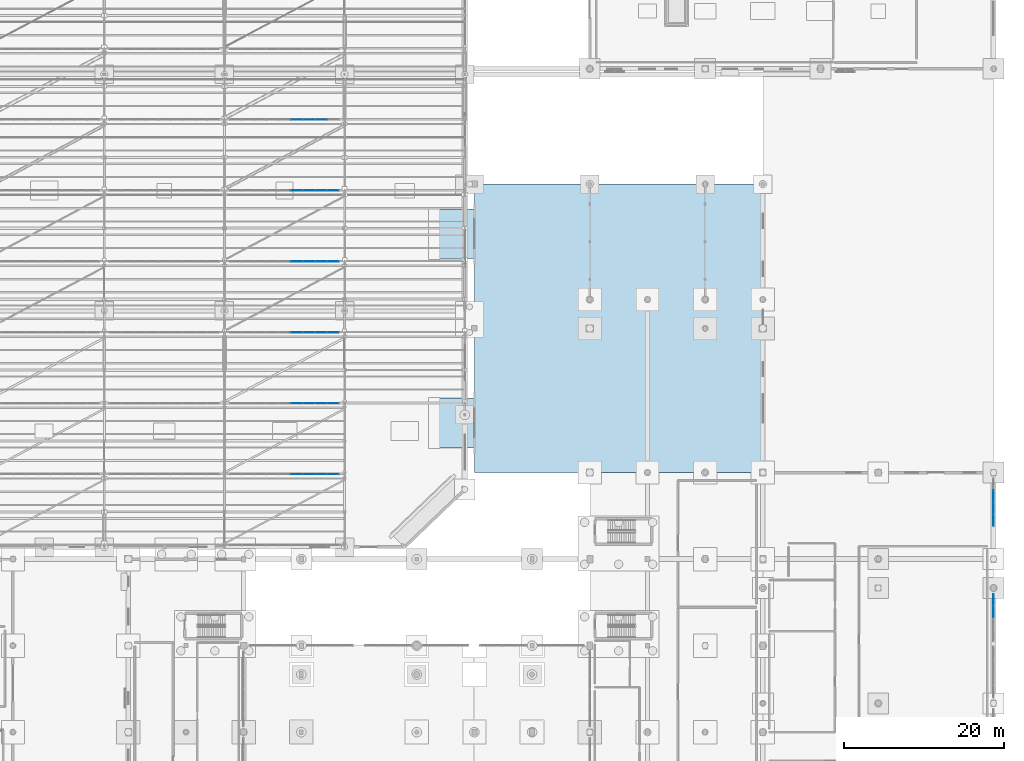
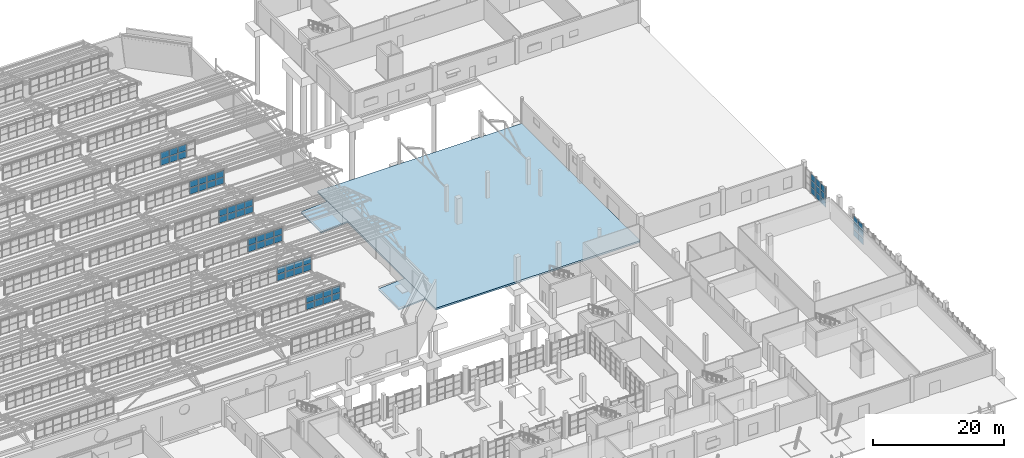
# One storey, part 185 of 285: 61 plates, 3 slabs, 8 elements without a shape of their own.
"""IFC4 building model written with IfcOpenShell, lengths in metres."""

import ifcopenshell
import ifcopenshell.guid

model = None  # the IFC model being written
_history = None  # IfcOwnerHistory: only IFC2X3 demands one
_inside = {}  # id of a spatial element -> (the spatial element, [elements in it])
_under = {}  # id of a project, library or spatial element -> (it, [spatial elements below it])
_declared = {}  # id of a project -> (the project, [libraries it declares])
_typed = {}  # id of a type object -> (the type object, [elements of that type])
_made_of = {}  # id of a material, layer set ... -> (it, [elements and type objects made of it])


def new_model(schema):
    """Start an empty IFC model of exactly this schema.

    Asked for "IFC4X3", IfcOpenShell would pick the latest addendum, in which some entities
    have other attributes; the version numbers below select the first issue.
    IFC2X3 requires an IfcOwnerHistory on every rooted entity: one is made here for all.
    """
    global model, _history
    if schema == "IFC4X3":
        model = ifcopenshell.file(schema_version=(4, 3, 0, 0))
    else:
        model = ifcopenshell.file(schema=schema)
    _inside.clear()
    _under.clear()
    _declared.clear()
    _typed.clear()
    _made_of.clear()
    _history = None
    if model.schema == "IFC2X3":
        org = make("IfcOrganization", Name="unknown")
        user = make(
            "IfcPersonAndOrganization",
            ThePerson=make("IfcPerson", FamilyName="unknown"),
            TheOrganization=org,
        )
        app = make(
            "IfcApplication",
            ApplicationDeveloper=org,
            Version="unknown",
            ApplicationFullName="unknown",
            ApplicationIdentifier="unknown",
        )
        _history = make(
            "IfcOwnerHistory",
            OwningUser=user,
            OwningApplication=app,
            ChangeAction="ADDED",
            CreationDate=0,
        )
    return model


def make(cls, **values):
    """One entity of the class cls with the attributes given. An attribute that is None is left unset."""
    return model.create_entity(
        cls, **{name: value for name, value in values.items() if value is not None}
    )


def rooted(cls, **values):
    """An entity with a GlobalId (a new one), such as an element, a storey or a relation."""
    return make(cls, GlobalId=ifcopenshell.guid.new(), OwnerHistory=_history, **values)


def si_unit(unit_type, name, prefix=None):
    """IfcSIUnit, for example si_unit("LENGTHUNIT", "METRE", prefix="MILLI")."""
    return make("IfcSIUnit", UnitType=unit_type, Prefix=prefix, Name=name)


def assignment(units):
    """IfcUnitAssignment: the units of a project."""
    return None if units is None else make("IfcUnitAssignment", Units=units)


def point(xyz):
    """IfcCartesianPoint."""
    return None if xyz is None else make("IfcCartesianPoint", Coordinates=xyz)


def direction(xyz):
    """IfcDirection."""
    return None if xyz is None else make("IfcDirection", DirectionRatios=xyz)


def frame(location, z_axis=None, x_axis=None):
    """IfcAxis2Placement3D, a coordinate frame: its origin and axes. An axis left out is left unset."""
    return make(
        "IfcAxis2Placement3D",
        Location=point(location),
        Axis=direction(z_axis),
        RefDirection=direction(x_axis),
    )


def frame_2d(location, x_axis=None):
    """IfcAxis2Placement2D, a coordinate frame in the plane: its origin and x axis."""
    return make(
        "IfcAxis2Placement2D", Location=point(location), RefDirection=direction(x_axis)
    )


def origin():
    """The frame at (0, 0, 0) with its axes left unset."""
    return frame((0.0, 0.0, 0.0))


def origin_2d():
    """The frame at (0, 0) in the plane with its x axis left unset."""
    return frame_2d((0.0, 0.0))


def place(relative_to, where):
    """IfcLocalPlacement: puts the frame where relative to a parent placement (None: the world)."""
    return make(
        "IfcLocalPlacement", PlacementRelTo=relative_to, RelativePlacement=where
    )


def context(
    kind, dimensions, precision=None, world=None, true_north=None, identifier=None
):
    """IfcGeometricRepresentationContext, for example the 3D "Model" context."""
    return make(
        "IfcGeometricRepresentationContext",
        ContextIdentifier=identifier,
        ContextType=kind,
        CoordinateSpaceDimension=dimensions,
        Precision=precision,
        WorldCoordinateSystem=world,
        TrueNorth=true_north,
    )


def subcontext(parent, identifier, kind, view, scale=None):
    """IfcGeometricRepresentationSubContext, for example "Body" below "Model"."""
    return make(
        "IfcGeometricRepresentationSubContext",
        ContextIdentifier=identifier,
        ContextType=kind,
        ParentContext=parent,
        TargetScale=scale,
        TargetView=view,
    )


def project(units=None, contexts=None):
    """IfcProject with its units and contexts."""
    return rooted(
        "IfcProject",
        Name="project",
        RepresentationContexts=contexts,
        UnitsInContext=assignment(units),
    )


def spatial(cls, under=None, at=None, **own):
    """A site, building, storey or space (cls), placed at a placement, below another one or the project."""
    s = rooted(cls, ObjectPlacement=at, **own)
    if under is not None:
        _under.setdefault(under.id(), (under, []))[1].append(s)
    return s


def polyline(points):
    """IfcPolyline through the points."""
    return make("IfcPolyline", Points=[point(p) for p in points])


def profile(cls, at=None, kind="AREA", **sizes):
    """A parametric profile (cls). Its sizes go by their IFC names, for example OverallWidth=200.0."""
    return make(cls, ProfileType=kind, Position=at, **sizes)


def rectangle(**sizes):
    """IfcRectangleProfileDef."""
    return profile("IfcRectangleProfileDef", **sizes)


def outline(outer, holes=None, kind="AREA"):
    """IfcArbitraryClosedProfileDef: a profile drawn as a closed curve; with holes, ...WithVoids."""
    if holes is None:
        return make("IfcArbitraryClosedProfileDef", ProfileType=kind, OuterCurve=outer)
    return make(
        "IfcArbitraryProfileDefWithVoids",
        ProfileType=kind,
        OuterCurve=outer,
        InnerCurves=holes,
    )


def extrude(swept, where, along, depth):
    """IfcExtrudedAreaSolid: the profile swept, set in the frame where, extruded along a direction by depth."""
    return make(
        "IfcExtrudedAreaSolid",
        SweptArea=swept,
        Position=where,
        ExtrudedDirection=direction(along),
        Depth=depth,
    )


def shape(context_of_items, identifier, shape_type, items):
    """IfcShapeRepresentation: the items that make up one representation, for example the "Body"."""
    return make(
        "IfcShapeRepresentation",
        ContextOfItems=context_of_items,
        RepresentationIdentifier=identifier,
        RepresentationType=shape_type,
        Items=items,
    )


def material(Name=None, Category=None):
    """IfcMaterial."""
    return make("IfcMaterial", Name=Name, Category=Category)


def layer(
    of_material, thickness, ventilated=None, Name=None, Category=None, Priority=None
):
    """IfcMaterialLayer: one layer of a wall or slab, of a material (None: an air gap)."""
    return make(
        "IfcMaterialLayer",
        Material=of_material,
        LayerThickness=thickness,
        IsVentilated=ventilated,
        Name=Name,
        Category=Category,
        Priority=Priority,
    )


def layer_set(layers, Name=None):
    """IfcMaterialLayerSet."""
    return make("IfcMaterialLayerSet", MaterialLayers=layers, LayerSetName=Name)


def made_of(thing, what):
    """Note that an element or type object is made of a material, layer set ...; save() writes the relation."""
    if what is not None:
        _made_of.setdefault(what.id(), (what, []))[1].append(thing)
    return thing


def type_object(cls, material=None, **own):
    """A type object (cls), such as IfcWallType, which elements share."""
    return made_of(rooted(cls, **own), material)


def element(
    cls,
    number,
    at=None,
    inside=None,
    cuts=None,
    type_object=None,
    material=None,
    context=None,
    identifier="Body",
    shape_type=None,
    held_by="IfcProductDefinitionShape",
    body=None,
    shapes=None,
    **own,
):
    """One element of the class cls, such as IfcWall. Its Tag is "e" and its number.

    at: its placement. inside: the storey or other place that contains it. cuts: it is an
    opening in that element (IfcRelVoidsElement). A single representation is given by context,
    identifier, shape_type and body (its items); several are given by shapes. held_by: the class
    of the entity that holds the representations. save() writes the other relations.
    """
    e = rooted(cls, Tag="e%d" % number, ObjectPlacement=at, **own)
    if body is not None:
        shapes = [shape(context, identifier, shape_type, body)]
    if shapes is not None:
        e.Representation = make(held_by, Representations=shapes)
    if inside is not None:
        _inside.setdefault(inside.id(), (inside, []))[1].append(e)
    if cuts is not None:
        rooted(
            "IfcRelVoidsElement", RelatingBuildingElement=cuts, RelatedOpeningElement=e
        )
    if type_object is not None:
        _typed.setdefault(type_object.id(), (type_object, []))[1].append(e)
    return made_of(e, material)


def aggregate(whole, parts):
    """IfcRelAggregates: a whole, such as a stair, and the parts it consists of."""
    return rooted("IfcRelAggregates", RelatingObject=whole, RelatedObjects=parts)


def save(model, path):
    """Write the relations noted so far, then the file.

    IfcRelAggregates (storeys below a building ...), IfcRelContainedInSpatialStructure (elements
    in a storey), IfcRelDefinesByType, IfcRelAssociatesMaterial and IfcRelDeclares: one each for
    every whole, place, type object, material and project.
    """
    for whole, parts in _under.values():
        aggregate(whole, parts)
    for where, things in _inside.values():
        rooted(
            "IfcRelContainedInSpatialStructure",
            RelatedElements=things,
            RelatingStructure=where,
        )
    for kind, things in _typed.values():
        rooted("IfcRelDefinesByType", RelatedObjects=things, RelatingType=kind)
    for what, things in _made_of.values():
        rooted("IfcRelAssociatesMaterial", RelatedObjects=things, RelatingMaterial=what)
    for by, libraries in _declared.values():
        rooted("IfcRelDeclares", RelatingContext=by, RelatedDefinitions=libraries)
    model.write(path)


model = new_model("IFC4")

# Units and contexts
model_context = context("Model", 3, precision=1e-05, world=origin(), true_north=direction((0.0, 1.0)))
body_context = subcontext(model_context, "Body", "Model", "MODEL_VIEW")
ifc_project = project(units=[si_unit("LENGTHUNIT", "METRE"), si_unit("AREAUNIT", "SQUARE_METRE"), si_unit("VOLUMEUNIT", "CUBIC_METRE"), si_unit("PLANEANGLEUNIT", "RADIAN"), si_unit("MASSUNIT", "GRAM", prefix="KILO")], contexts=[model_context])

# Site, building, storey
site_placement = place(None, origin())
site = spatial("IfcSite", under=ifc_project, at=site_placement, CompositionType="ELEMENT")
building_placement = place(site_placement, origin())
building = spatial("IfcBuilding", under=site, at=building_placement, Name="Solanera Park Tramway Depot", CompositionType="ELEMENT")
storey_placement = place(building_placement, origin())
storey = spatial("IfcBuildingStorey", under=building, at=storey_placement, Name="L00", CompositionType="ELEMENT", Elevation=0.0)

# Curtain wall, plates
ifc_material_1 = material(Name="Bronze-anodised thermally broken aluminium curtain wall", Category="aluminium")
curtain_wall_type_1 = type_object("IfcCurtainWallType", Name="Sawtooth Clerestory Monitor Curtain Wall", PredefinedType="NOTDEFINED", material=ifc_material_1)
curtain_wall_1_placement = place(storey_placement, origin())
curtain_wall_1 = element("IfcCurtainWall", 1, at=curtain_wall_1_placement, inside=storey, type_object=curtain_wall_type_1, Name="L00 Sawtooth Clerestory Monitor Curtain Wall #011", PredefinedType="NOTDEFINED")
ifc_material_2 = material(Name="Low-E laminated solar-control double glazing", Category="glass")
ifc_layer_1 = layer(ifc_material_2, 0.028076171875)
ifc_layer_set_1 = layer_set([ifc_layer_1], Name="Low-E laminated solar-control double glazing")
plate_type = type_object("IfcPlateType", Name="Curtain Wall Double Glazing Panel 28", PredefinedType="CURTAIN_PANEL", material=ifc_layer_set_1)
plate_1_placement = place(storey_placement, frame((129.022216796875, 64.60009765625, 7.862060546875), z_axis=(0.0, 0.0, 1.0), x_axis=(1.0, 0.0, 0.0)))
plate_1 = element("IfcPlate", 2, at=plate_1_placement, type_object=plate_type, Name="CW-L00-011 Glazing Panel R1.C6", PredefinedType="CURTAIN_PANEL", context=body_context, shape_type="SweptSolid", body=[
    extrude(rectangle(XDim=1.47021484375, YDim=0.028076171875, at=origin_2d()), origin(), (0.0, 0.0, 1.0), 1.16650390625),
])
plate_2_placement = place(storey_placement, frame((130.54443359375, 64.60009765625, 7.862060546875), z_axis=(0.0, 0.0, 1.0), x_axis=(1.0, 0.0, 0.0)))
plate_2 = element("IfcPlate", 3, at=plate_2_placement, type_object=plate_type, Name="CW-L00-011 Glazing Panel R1.C7", PredefinedType="CURTAIN_PANEL", context=body_context, shape_type="SweptSolid", body=[
    extrude(rectangle(XDim=1.47021484375, YDim=0.028076171875, at=origin_2d()), origin(), (0.0, 0.0, 1.0), 1.16650390625),
])
plate_3_placement = place(storey_placement, frame((132.066650390625, 64.60009765625, 7.862060546875), z_axis=(0.0, 0.0, 1.0), x_axis=(1.0, 0.0, 0.0)))
plate_3 = element("IfcPlate", 4, at=plate_3_placement, type_object=plate_type, Name="CW-L00-011 Glazing Panel R1.C8", PredefinedType="CURTAIN_PANEL", context=body_context, shape_type="SweptSolid", body=[
    extrude(rectangle(XDim=1.47021484375, YDim=0.028076171875, at=origin_2d()), origin(), (0.0, 0.0, 1.0), 1.16650390625),
])
plate_4_placement = place(storey_placement, frame((133.572509765625, 64.60009765625, 7.862060546875), z_axis=(0.0, 0.0, 1.0), x_axis=(1.0, 0.0, 0.0)))
plate_4 = element("IfcPlate", 5, at=plate_4_placement, type_object=plate_type, Name="CW-L00-011 Glazing Panel R1.C9", PredefinedType="CURTAIN_PANEL", context=body_context, shape_type="SweptSolid", body=[
    extrude(rectangle(XDim=1.437744140625, YDim=0.028076171875, at=origin_2d()), origin(), (0.0, 0.0, 1.0), 1.16650390625),
])
plate_5_placement = place(storey_placement, frame((129.022216796875, 64.60009765625, 9.132568359375), z_axis=(0.0, 0.0, 1.0), x_axis=(1.0, 0.0, 0.0)))
plate_5 = element("IfcPlate", 6, at=plate_5_placement, type_object=plate_type, Name="CW-L00-011 Glazing Panel R2.C6", PredefinedType="CURTAIN_PANEL", context=body_context, shape_type="SweptSolid", body=[
    extrude(rectangle(XDim=1.47021484375, YDim=0.028076171875, at=origin_2d()), origin(), (0.0, 0.0, 1.0), 1.16650390625),
])
plate_6_placement = place(storey_placement, frame((130.54443359375, 64.60009765625, 9.132568359375), z_axis=(0.0, 0.0, 1.0), x_axis=(1.0, 0.0, 0.0)))
plate_6 = element("IfcPlate", 7, at=plate_6_placement, type_object=plate_type, Name="CW-L00-011 Glazing Panel R2.C7", PredefinedType="CURTAIN_PANEL", context=body_context, shape_type="SweptSolid", body=[
    extrude(rectangle(XDim=1.47021484375, YDim=0.028076171875, at=origin_2d()), origin(), (0.0, 0.0, 1.0), 1.16650390625),
])
plate_7_placement = place(storey_placement, frame((132.066650390625, 64.60009765625, 9.132568359375), z_axis=(0.0, 0.0, 1.0), x_axis=(1.0, 0.0, 0.0)))
plate_7 = element("IfcPlate", 8, at=plate_7_placement, type_object=plate_type, Name="CW-L00-011 Glazing Panel R2.C8", PredefinedType="CURTAIN_PANEL", context=body_context, shape_type="SweptSolid", body=[
    extrude(rectangle(XDim=1.47021484375, YDim=0.028076171875, at=origin_2d()), origin(), (0.0, 0.0, 1.0), 1.16650390625),
])
plate_8_placement = place(storey_placement, frame((133.572509765625, 64.60009765625, 9.132568359375), z_axis=(0.0, 0.0, 1.0), x_axis=(1.0, 0.0, 0.0)))
plate_8 = element("IfcPlate", 9, at=plate_8_placement, type_object=plate_type, Name="CW-L00-011 Glazing Panel R2.C9", PredefinedType="CURTAIN_PANEL", context=body_context, shape_type="SweptSolid", body=[
    extrude(rectangle(XDim=1.437744140625, YDim=0.028076171875, at=origin_2d()), origin(), (0.0, 0.0, 1.0), 1.16650390625),
])
aggregate(curtain_wall_1, [plate_1, plate_2, plate_3, plate_4, plate_5, plate_6, plate_7, plate_8])

curtain_wall_2_placement = place(storey_placement, origin())
curtain_wall_2 = element("IfcCurtainWall", 10, at=curtain_wall_2_placement, inside=storey, type_object=curtain_wall_type_1, Name="L00 Sawtooth Clerestory Monitor Curtain Wall #019", PredefinedType="NOTDEFINED")
plate_9_placement = place(storey_placement, frame((129.022216796875, 73.449951171875, 7.862060546875), z_axis=(0.0, 0.0, 1.0), x_axis=(1.0, 0.0, 0.0)))
plate_9 = element("IfcPlate", 11, at=plate_9_placement, type_object=plate_type, Name="CW-L00-019 Glazing Panel R1.C6", PredefinedType="CURTAIN_PANEL", context=body_context, shape_type="SweptSolid", body=[
    extrude(rectangle(XDim=1.47021484375, YDim=0.028076171875, at=origin_2d()), origin(), (0.0, 0.0, 1.0), 1.16650390625),
])
plate_10_placement = place(storey_placement, frame((130.54443359375, 73.449951171875, 7.862060546875), z_axis=(0.0, 0.0, 1.0), x_axis=(1.0, 0.0, 0.0)))
plate_10 = element("IfcPlate", 12, at=plate_10_placement, type_object=plate_type, Name="CW-L00-019 Glazing Panel R1.C7", PredefinedType="CURTAIN_PANEL", context=body_context, shape_type="SweptSolid", body=[
    extrude(rectangle(XDim=1.47021484375, YDim=0.028076171875, at=origin_2d()), origin(), (0.0, 0.0, 1.0), 1.16650390625),
])
plate_11_placement = place(storey_placement, frame((132.066650390625, 73.449951171875, 7.862060546875), z_axis=(0.0, 0.0, 1.0), x_axis=(1.0, 0.0, 0.0)))
plate_11 = element("IfcPlate", 13, at=plate_11_placement, type_object=plate_type, Name="CW-L00-019 Glazing Panel R1.C8", PredefinedType="CURTAIN_PANEL", context=body_context, shape_type="SweptSolid", body=[
    extrude(rectangle(XDim=1.47021484375, YDim=0.028076171875, at=origin_2d()), origin(), (0.0, 0.0, 1.0), 1.16650390625),
])
plate_12_placement = place(storey_placement, frame((133.572509765625, 73.449951171875, 7.862060546875), z_axis=(0.0, 0.0, 1.0), x_axis=(1.0, 0.0, 0.0)))
plate_12 = element("IfcPlate", 14, at=plate_12_placement, type_object=plate_type, Name="CW-L00-019 Glazing Panel R1.C9", PredefinedType="CURTAIN_PANEL", context=body_context, shape_type="SweptSolid", body=[
    extrude(rectangle(XDim=1.437744140625, YDim=0.028076171875, at=origin_2d()), origin(), (0.0, 0.0, 1.0), 1.16650390625),
])
plate_13_placement = place(storey_placement, frame((129.022216796875, 73.449951171875, 9.132568359375), z_axis=(0.0, 0.0, 1.0), x_axis=(1.0, 0.0, 0.0)))
plate_13 = element("IfcPlate", 15, at=plate_13_placement, type_object=plate_type, Name="CW-L00-019 Glazing Panel R2.C6", PredefinedType="CURTAIN_PANEL", context=body_context, shape_type="SweptSolid", body=[
    extrude(rectangle(XDim=1.47021484375, YDim=0.028076171875, at=origin_2d()), origin(), (0.0, 0.0, 1.0), 1.16650390625),
])
plate_14_placement = place(storey_placement, frame((130.54443359375, 73.449951171875, 9.132568359375), z_axis=(0.0, 0.0, 1.0), x_axis=(1.0, 0.0, 0.0)))
plate_14 = element("IfcPlate", 16, at=plate_14_placement, type_object=plate_type, Name="CW-L00-019 Glazing Panel R2.C7", PredefinedType="CURTAIN_PANEL", context=body_context, shape_type="SweptSolid", body=[
    extrude(rectangle(XDim=1.47021484375, YDim=0.028076171875, at=origin_2d()), origin(), (0.0, 0.0, 1.0), 1.16650390625),
])
plate_15_placement = place(storey_placement, frame((132.066650390625, 73.449951171875, 9.132568359375), z_axis=(0.0, 0.0, 1.0), x_axis=(1.0, 0.0, 0.0)))
plate_15 = element("IfcPlate", 17, at=plate_15_placement, type_object=plate_type, Name="CW-L00-019 Glazing Panel R2.C8", PredefinedType="CURTAIN_PANEL", context=body_context, shape_type="SweptSolid", body=[
    extrude(rectangle(XDim=1.47021484375, YDim=0.028076171875, at=origin_2d()), origin(), (0.0, 0.0, 1.0), 1.16650390625),
])
plate_16_placement = place(storey_placement, frame((133.572509765625, 73.449951171875, 9.132568359375), z_axis=(0.0, 0.0, 1.0), x_axis=(1.0, 0.0, 0.0)))
plate_16 = element("IfcPlate", 18, at=plate_16_placement, type_object=plate_type, Name="CW-L00-019 Glazing Panel R2.C9", PredefinedType="CURTAIN_PANEL", context=body_context, shape_type="SweptSolid", body=[
    extrude(rectangle(XDim=1.437744140625, YDim=0.028076171875, at=origin_2d()), origin(), (0.0, 0.0, 1.0), 1.16650390625),
])
aggregate(curtain_wall_2, [plate_9, plate_10, plate_11, plate_12, plate_13, plate_14, plate_15, plate_16])

curtain_wall_3_placement = place(storey_placement, origin())
curtain_wall_3 = element("IfcCurtainWall", 19, at=curtain_wall_3_placement, inside=storey, type_object=curtain_wall_type_1, Name="L00 Sawtooth Clerestory Monitor Curtain Wall #027", PredefinedType="NOTDEFINED")
plate_17_placement = place(storey_placement, frame((129.022216796875, 82.300048828125, 7.862060546875), z_axis=(0.0, 0.0, 1.0), x_axis=(1.0, 0.0, 0.0)))
plate_17 = element("IfcPlate", 20, at=plate_17_placement, type_object=plate_type, Name="CW-L00-027 Glazing Panel R1.C6", PredefinedType="CURTAIN_PANEL", context=body_context, shape_type="SweptSolid", body=[
    extrude(rectangle(XDim=1.47021484375, YDim=0.028076171875, at=origin_2d()), origin(), (0.0, 0.0, 1.0), 1.16650390625),
])
plate_18_placement = place(storey_placement, frame((130.54443359375, 82.300048828125, 7.862060546875), z_axis=(0.0, 0.0, 1.0), x_axis=(1.0, 0.0, 0.0)))
plate_18 = element("IfcPlate", 21, at=plate_18_placement, type_object=plate_type, Name="CW-L00-027 Glazing Panel R1.C7", PredefinedType="CURTAIN_PANEL", context=body_context, shape_type="SweptSolid", body=[
    extrude(rectangle(XDim=1.47021484375, YDim=0.028076171875, at=origin_2d()), origin(), (0.0, 0.0, 1.0), 1.16650390625),
])
plate_19_placement = place(storey_placement, frame((132.066650390625, 82.300048828125, 7.862060546875), z_axis=(0.0, 0.0, 1.0), x_axis=(1.0, 0.0, 0.0)))
plate_19 = element("IfcPlate", 22, at=plate_19_placement, type_object=plate_type, Name="CW-L00-027 Glazing Panel R1.C8", PredefinedType="CURTAIN_PANEL", context=body_context, shape_type="SweptSolid", body=[
    extrude(rectangle(XDim=1.47021484375, YDim=0.028076171875, at=origin_2d()), origin(), (0.0, 0.0, 1.0), 1.16650390625),
])
plate_20_placement = place(storey_placement, frame((133.572509765625, 82.300048828125, 7.862060546875), z_axis=(0.0, 0.0, 1.0), x_axis=(1.0, 0.0, 0.0)))
plate_20 = element("IfcPlate", 23, at=plate_20_placement, type_object=plate_type, Name="CW-L00-027 Glazing Panel R1.C9", PredefinedType="CURTAIN_PANEL", context=body_context, shape_type="SweptSolid", body=[
    extrude(rectangle(XDim=1.437744140625, YDim=0.028076171875, at=origin_2d()), origin(), (0.0, 0.0, 1.0), 1.16650390625),
])
plate_21_placement = place(storey_placement, frame((129.022216796875, 82.300048828125, 9.132568359375), z_axis=(0.0, 0.0, 1.0), x_axis=(1.0, 0.0, 0.0)))
plate_21 = element("IfcPlate", 24, at=plate_21_placement, type_object=plate_type, Name="CW-L00-027 Glazing Panel R2.C6", PredefinedType="CURTAIN_PANEL", context=body_context, shape_type="SweptSolid", body=[
    extrude(rectangle(XDim=1.47021484375, YDim=0.028076171875, at=origin_2d()), origin(), (0.0, 0.0, 1.0), 1.16650390625),
])
plate_22_placement = place(storey_placement, frame((130.54443359375, 82.300048828125, 9.132568359375), z_axis=(0.0, 0.0, 1.0), x_axis=(1.0, 0.0, 0.0)))
plate_22 = element("IfcPlate", 25, at=plate_22_placement, type_object=plate_type, Name="CW-L00-027 Glazing Panel R2.C7", PredefinedType="CURTAIN_PANEL", context=body_context, shape_type="SweptSolid", body=[
    extrude(rectangle(XDim=1.47021484375, YDim=0.028076171875, at=origin_2d()), origin(), (0.0, 0.0, 1.0), 1.16650390625),
])
plate_23_placement = place(storey_placement, frame((132.066650390625, 82.300048828125, 9.132568359375), z_axis=(0.0, 0.0, 1.0), x_axis=(1.0, 0.0, 0.0)))
plate_23 = element("IfcPlate", 26, at=plate_23_placement, type_object=plate_type, Name="CW-L00-027 Glazing Panel R2.C8", PredefinedType="CURTAIN_PANEL", context=body_context, shape_type="SweptSolid", body=[
    extrude(rectangle(XDim=1.47021484375, YDim=0.028076171875, at=origin_2d()), origin(), (0.0, 0.0, 1.0), 1.16650390625),
])
plate_24_placement = place(storey_placement, frame((133.572509765625, 82.300048828125, 9.132568359375), z_axis=(0.0, 0.0, 1.0), x_axis=(1.0, 0.0, 0.0)))
plate_24 = element("IfcPlate", 27, at=plate_24_placement, type_object=plate_type, Name="CW-L00-027 Glazing Panel R2.C9", PredefinedType="CURTAIN_PANEL", context=body_context, shape_type="SweptSolid", body=[
    extrude(rectangle(XDim=1.437744140625, YDim=0.028076171875, at=origin_2d()), origin(), (0.0, 0.0, 1.0), 1.16650390625),
])
aggregate(curtain_wall_3, [plate_17, plate_18, plate_19, plate_20, plate_21, plate_22, plate_23, plate_24])

curtain_wall_4_placement = place(storey_placement, origin())
curtain_wall_4 = element("IfcCurtainWall", 28, at=curtain_wall_4_placement, inside=storey, type_object=curtain_wall_type_1, Name="L00 Sawtooth Clerestory Monitor Curtain Wall #035", PredefinedType="NOTDEFINED")
plate_25_placement = place(storey_placement, frame((129.022216796875, 91.14990234375, 7.862060546875), z_axis=(0.0, 0.0, 1.0), x_axis=(1.0, 0.0, 0.0)))
plate_25 = element("IfcPlate", 29, at=plate_25_placement, type_object=plate_type, Name="CW-L00-035 Glazing Panel R1.C6", PredefinedType="CURTAIN_PANEL", context=body_context, shape_type="SweptSolid", body=[
    extrude(rectangle(XDim=1.47021484375, YDim=0.028076171875, at=origin_2d()), origin(), (0.0, 0.0, 1.0), 1.16650390625),
])
plate_26_placement = place(storey_placement, frame((130.54443359375, 91.14990234375, 7.862060546875), z_axis=(0.0, 0.0, 1.0), x_axis=(1.0, 0.0, 0.0)))
plate_26 = element("IfcPlate", 30, at=plate_26_placement, type_object=plate_type, Name="CW-L00-035 Glazing Panel R1.C7", PredefinedType="CURTAIN_PANEL", context=body_context, shape_type="SweptSolid", body=[
    extrude(rectangle(XDim=1.47021484375, YDim=0.028076171875, at=origin_2d()), origin(), (0.0, 0.0, 1.0), 1.16650390625),
])
plate_27_placement = place(storey_placement, frame((132.066650390625, 91.14990234375, 7.862060546875), z_axis=(0.0, 0.0, 1.0), x_axis=(1.0, 0.0, 0.0)))
plate_27 = element("IfcPlate", 31, at=plate_27_placement, type_object=plate_type, Name="CW-L00-035 Glazing Panel R1.C8", PredefinedType="CURTAIN_PANEL", context=body_context, shape_type="SweptSolid", body=[
    extrude(rectangle(XDim=1.47021484375, YDim=0.028076171875, at=origin_2d()), origin(), (0.0, 0.0, 1.0), 1.16650390625),
])
plate_28_placement = place(storey_placement, frame((133.572509765625, 91.14990234375, 7.862060546875), z_axis=(0.0, 0.0, 1.0), x_axis=(1.0, 0.0, 0.0)))
plate_28 = element("IfcPlate", 32, at=plate_28_placement, type_object=plate_type, Name="CW-L00-035 Glazing Panel R1.C9", PredefinedType="CURTAIN_PANEL", context=body_context, shape_type="SweptSolid", body=[
    extrude(rectangle(XDim=1.437744140625, YDim=0.028076171875, at=origin_2d()), origin(), (0.0, 0.0, 1.0), 1.16650390625),
])
plate_29_placement = place(storey_placement, frame((129.022216796875, 91.14990234375, 9.132568359375), z_axis=(0.0, 0.0, 1.0), x_axis=(1.0, 0.0, 0.0)))
plate_29 = element("IfcPlate", 33, at=plate_29_placement, type_object=plate_type, Name="CW-L00-035 Glazing Panel R2.C6", PredefinedType="CURTAIN_PANEL", context=body_context, shape_type="SweptSolid", body=[
    extrude(rectangle(XDim=1.47021484375, YDim=0.028076171875, at=origin_2d()), origin(), (0.0, 0.0, 1.0), 1.16650390625),
])
plate_30_placement = place(storey_placement, frame((130.54443359375, 91.14990234375, 9.132568359375), z_axis=(0.0, 0.0, 1.0), x_axis=(1.0, 0.0, 0.0)))
plate_30 = element("IfcPlate", 34, at=plate_30_placement, type_object=plate_type, Name="CW-L00-035 Glazing Panel R2.C7", PredefinedType="CURTAIN_PANEL", context=body_context, shape_type="SweptSolid", body=[
    extrude(rectangle(XDim=1.47021484375, YDim=0.028076171875, at=origin_2d()), origin(), (0.0, 0.0, 1.0), 1.16650390625),
])
plate_31_placement = place(storey_placement, frame((132.066650390625, 91.14990234375, 9.132568359375), z_axis=(0.0, 0.0, 1.0), x_axis=(1.0, 0.0, 0.0)))
plate_31 = element("IfcPlate", 35, at=plate_31_placement, type_object=plate_type, Name="CW-L00-035 Glazing Panel R2.C8", PredefinedType="CURTAIN_PANEL", context=body_context, shape_type="SweptSolid", body=[
    extrude(rectangle(XDim=1.47021484375, YDim=0.028076171875, at=origin_2d()), origin(), (0.0, 0.0, 1.0), 1.16650390625),
])
plate_32_placement = place(storey_placement, frame((133.572509765625, 91.14990234375, 9.132568359375), z_axis=(0.0, 0.0, 1.0), x_axis=(1.0, 0.0, 0.0)))
plate_32 = element("IfcPlate", 36, at=plate_32_placement, type_object=plate_type, Name="CW-L00-035 Glazing Panel R2.C9", PredefinedType="CURTAIN_PANEL", context=body_context, shape_type="SweptSolid", body=[
    extrude(rectangle(XDim=1.437744140625, YDim=0.028076171875, at=origin_2d()), origin(), (0.0, 0.0, 1.0), 1.16650390625),
])
aggregate(curtain_wall_4, [plate_25, plate_26, plate_27, plate_28, plate_29, plate_30, plate_31, plate_32])

curtain_wall_5_placement = place(storey_placement, origin())
curtain_wall_5 = element("IfcCurtainWall", 37, at=curtain_wall_5_placement, inside=storey, type_object=curtain_wall_type_1, Name="L00 Sawtooth Clerestory Monitor Curtain Wall #043", PredefinedType="NOTDEFINED")
plate_33_placement = place(storey_placement, frame((129.022216796875, 100.0, 7.862060546875), z_axis=(0.0, 0.0, 1.0), x_axis=(1.0, 0.0, 0.0)))
plate_33 = element("IfcPlate", 38, at=plate_33_placement, type_object=plate_type, Name="CW-L00-043 Glazing Panel R1.C6", PredefinedType="CURTAIN_PANEL", context=body_context, shape_type="SweptSolid", body=[
    extrude(rectangle(XDim=1.47021484375, YDim=0.028076171875, at=origin_2d()), origin(), (0.0, 0.0, 1.0), 1.16650390625),
])
plate_34_placement = place(storey_placement, frame((130.54443359375, 100.0, 7.862060546875), z_axis=(0.0, 0.0, 1.0), x_axis=(1.0, 0.0, 0.0)))
plate_34 = element("IfcPlate", 39, at=plate_34_placement, type_object=plate_type, Name="CW-L00-043 Glazing Panel R1.C7", PredefinedType="CURTAIN_PANEL", context=body_context, shape_type="SweptSolid", body=[
    extrude(rectangle(XDim=1.47021484375, YDim=0.028076171875, at=origin_2d()), origin(), (0.0, 0.0, 1.0), 1.16650390625),
])
plate_35_placement = place(storey_placement, frame((132.066650390625, 100.0, 7.862060546875), z_axis=(0.0, 0.0, 1.0), x_axis=(1.0, 0.0, 0.0)))
plate_35 = element("IfcPlate", 40, at=plate_35_placement, type_object=plate_type, Name="CW-L00-043 Glazing Panel R1.C8", PredefinedType="CURTAIN_PANEL", context=body_context, shape_type="SweptSolid", body=[
    extrude(rectangle(XDim=1.47021484375, YDim=0.028076171875, at=origin_2d()), origin(), (0.0, 0.0, 1.0), 1.16650390625),
])
plate_36_placement = place(storey_placement, frame((133.572509765625, 100.0, 7.862060546875), z_axis=(0.0, 0.0, 1.0), x_axis=(1.0, 0.0, 0.0)))
plate_36 = element("IfcPlate", 41, at=plate_36_placement, type_object=plate_type, Name="CW-L00-043 Glazing Panel R1.C9", PredefinedType="CURTAIN_PANEL", context=body_context, shape_type="SweptSolid", body=[
    extrude(rectangle(XDim=1.437744140625, YDim=0.028076171875, at=origin_2d()), origin(), (0.0, 0.0, 1.0), 1.16650390625),
])
plate_37_placement = place(storey_placement, frame((129.022216796875, 100.0, 9.132568359375), z_axis=(0.0, 0.0, 1.0), x_axis=(1.0, 0.0, 0.0)))
plate_37 = element("IfcPlate", 42, at=plate_37_placement, type_object=plate_type, Name="CW-L00-043 Glazing Panel R2.C6", PredefinedType="CURTAIN_PANEL", context=body_context, shape_type="SweptSolid", body=[
    extrude(rectangle(XDim=1.47021484375, YDim=0.028076171875, at=origin_2d()), origin(), (0.0, 0.0, 1.0), 1.16650390625),
])
plate_38_placement = place(storey_placement, frame((130.54443359375, 100.0, 9.132568359375), z_axis=(0.0, 0.0, 1.0), x_axis=(1.0, 0.0, 0.0)))
plate_38 = element("IfcPlate", 43, at=plate_38_placement, type_object=plate_type, Name="CW-L00-043 Glazing Panel R2.C7", PredefinedType="CURTAIN_PANEL", context=body_context, shape_type="SweptSolid", body=[
    extrude(rectangle(XDim=1.47021484375, YDim=0.028076171875, at=origin_2d()), origin(), (0.0, 0.0, 1.0), 1.16650390625),
])
plate_39_placement = place(storey_placement, frame((132.066650390625, 100.0, 9.132568359375), z_axis=(0.0, 0.0, 1.0), x_axis=(1.0, 0.0, 0.0)))
plate_39 = element("IfcPlate", 44, at=plate_39_placement, type_object=plate_type, Name="CW-L00-043 Glazing Panel R2.C8", PredefinedType="CURTAIN_PANEL", context=body_context, shape_type="SweptSolid", body=[
    extrude(rectangle(XDim=1.47021484375, YDim=0.028076171875, at=origin_2d()), origin(), (0.0, 0.0, 1.0), 1.16650390625),
])
plate_40_placement = place(storey_placement, frame((133.572509765625, 100.0, 9.132568359375), z_axis=(0.0, 0.0, 1.0), x_axis=(1.0, 0.0, 0.0)))
plate_40 = element("IfcPlate", 45, at=plate_40_placement, type_object=plate_type, Name="CW-L00-043 Glazing Panel R2.C9", PredefinedType="CURTAIN_PANEL", context=body_context, shape_type="SweptSolid", body=[
    extrude(rectangle(XDim=1.437744140625, YDim=0.028076171875, at=origin_2d()), origin(), (0.0, 0.0, 1.0), 1.16650390625),
])
aggregate(curtain_wall_5, [plate_33, plate_34, plate_35, plate_36, plate_37, plate_38, plate_39, plate_40])

curtain_wall_6_placement = place(storey_placement, origin())
curtain_wall_6 = element("IfcCurtainWall", 46, at=curtain_wall_6_placement, inside=storey, type_object=curtain_wall_type_1, Name="L00 Sawtooth Clerestory Monitor Curtain Wall #051", PredefinedType="NOTDEFINED")
plate_41_placement = place(storey_placement, frame((129.022216796875, 108.85009765625, 7.862060546875), z_axis=(0.0, 0.0, 1.0), x_axis=(1.0, 0.0, 0.0)))
plate_41 = element("IfcPlate", 47, at=plate_41_placement, type_object=plate_type, Name="CW-L00-051 Glazing Panel R1.C6", PredefinedType="CURTAIN_PANEL", context=body_context, shape_type="SweptSolid", body=[
    extrude(rectangle(XDim=1.47021484375, YDim=0.028076171875, at=origin_2d()), origin(), (0.0, 0.0, 1.0), 1.16650390625),
])
plate_42_placement = place(storey_placement, frame((130.54443359375, 108.85009765625, 7.862060546875), z_axis=(0.0, 0.0, 1.0), x_axis=(1.0, 0.0, 0.0)))
plate_42 = element("IfcPlate", 48, at=plate_42_placement, type_object=plate_type, Name="CW-L00-051 Glazing Panel R1.C7", PredefinedType="CURTAIN_PANEL", context=body_context, shape_type="SweptSolid", body=[
    extrude(rectangle(XDim=1.47021484375, YDim=0.028076171875, at=origin_2d()), origin(), (0.0, 0.0, 1.0), 1.16650390625),
])
plate_43_placement = place(storey_placement, frame((132.066650390625, 108.85009765625, 7.862060546875), z_axis=(0.0, 0.0, 1.0), x_axis=(1.0, 0.0, 0.0)))
plate_43 = element("IfcPlate", 49, at=plate_43_placement, type_object=plate_type, Name="CW-L00-051 Glazing Panel R1.C8", PredefinedType="CURTAIN_PANEL", context=body_context, shape_type="SweptSolid", body=[
    extrude(rectangle(XDim=1.47021484375, YDim=0.028076171875, at=origin_2d()), origin(), (0.0, 0.0, 1.0), 1.16650390625),
])
plate_44_placement = place(storey_placement, frame((129.022216796875, 108.85009765625, 9.132568359375), z_axis=(0.0, 0.0, 1.0), x_axis=(1.0, 0.0, 0.0)))
plate_44 = element("IfcPlate", 50, at=plate_44_placement, type_object=plate_type, Name="CW-L00-051 Glazing Panel R2.C6", PredefinedType="CURTAIN_PANEL", context=body_context, shape_type="SweptSolid", body=[
    extrude(rectangle(XDim=1.47021484375, YDim=0.028076171875, at=origin_2d()), origin(), (0.0, 0.0, 1.0), 1.16650390625),
])
plate_45_placement = place(storey_placement, frame((130.54443359375, 108.85009765625, 9.132568359375), z_axis=(0.0, 0.0, 1.0), x_axis=(1.0, 0.0, 0.0)))
plate_45 = element("IfcPlate", 51, at=plate_45_placement, type_object=plate_type, Name="CW-L00-051 Glazing Panel R2.C7", PredefinedType="CURTAIN_PANEL", context=body_context, shape_type="SweptSolid", body=[
    extrude(rectangle(XDim=1.47021484375, YDim=0.028076171875, at=origin_2d()), origin(), (0.0, 0.0, 1.0), 1.16650390625),
])
plate_46_placement = place(storey_placement, frame((132.066650390625, 108.85009765625, 9.132568359375), z_axis=(0.0, 0.0, 1.0), x_axis=(1.0, 0.0, 0.0)))
plate_46 = element("IfcPlate", 52, at=plate_46_placement, type_object=plate_type, Name="CW-L00-051 Glazing Panel R2.C8", PredefinedType="CURTAIN_PANEL", context=body_context, shape_type="SweptSolid", body=[
    extrude(rectangle(XDim=1.47021484375, YDim=0.028076171875, at=origin_2d()), origin(), (0.0, 0.0, 1.0), 1.16650390625),
])
aggregate(curtain_wall_6, [plate_41, plate_42, plate_43, plate_44, plate_45, plate_46])

ifc_material_3 = material(Name="Bronze-anodised thermally broken aluminium curtain wall", Category="aluminium")
curtain_wall_type_2 = type_object("IfcCurtainWallType", Name="Parkfront Loggia Curtain Wall", PredefinedType="NOTDEFINED", material=ifc_material_3)
curtain_wall_7_placement = place(storey_placement, origin())
curtain_wall_7 = element("IfcCurtainWall", 53, at=curtain_wall_7_placement, inside=storey, type_object=curtain_wall_type_2, Name="L00 Parkfront Loggia Curtain Wall #131", PredefinedType="NOTDEFINED")
plate_47_placement = place(storey_placement, frame((216.0, 47.449951171875, 0.11181640625), z_axis=(0.0, 0.0, 1.0), x_axis=(0.0, 1.0, 0.0)))
plate_47 = element("IfcPlate", 54, at=plate_47_placement, type_object=plate_type, Name="CW-L00-131 Glazing Panel R1.C3", PredefinedType="CURTAIN_PANEL", context=body_context, shape_type="SweptSolid", body=[
    extrude(rectangle(XDim=1.447998046875, YDim=0.028076171875, at=origin_2d()), origin(), (0.0, 0.0, 1.0), 1.119384765625),
])
plate_48_placement = place(storey_placement, frame((216.0, 48.933837890625, 0.11181640625), z_axis=(0.0, 0.0, 1.0), x_axis=(0.0, 1.0, 0.0)))
plate_48 = element("IfcPlate", 55, at=plate_48_placement, type_object=plate_type, Name="CW-L00-131 Glazing Panel R1.C4", PredefinedType="CURTAIN_PANEL", context=body_context, shape_type="SweptSolid", body=[
    extrude(rectangle(XDim=1.41552734375, YDim=0.028076171875, at=origin_2d()), origin(), (0.0, 0.0, 1.0), 1.119384765625),
])
plate_49_placement = place(storey_placement, frame((216.0, 47.449951171875, 1.33544921875), z_axis=(0.0, 0.0, 1.0), x_axis=(0.0, 1.0, 0.0)))
plate_49 = element("IfcPlate", 56, at=plate_49_placement, type_object=plate_type, Name="CW-L00-131 Glazing Panel R2.C3", PredefinedType="CURTAIN_PANEL", context=body_context, shape_type="SweptSolid", body=[
    extrude(rectangle(XDim=1.447998046875, YDim=0.028076171875, at=origin_2d()), origin(), (0.0, 0.0, 1.0), 1.179443359375),
])
plate_50_placement = place(storey_placement, frame((216.0, 48.933837890625, 1.33544921875), z_axis=(0.0, 0.0, 1.0), x_axis=(0.0, 1.0, 0.0)))
plate_50 = element("IfcPlate", 57, at=plate_50_placement, type_object=plate_type, Name="CW-L00-131 Glazing Panel R2.C4", PredefinedType="CURTAIN_PANEL", context=body_context, shape_type="SweptSolid", body=[
    extrude(rectangle(XDim=1.41552734375, YDim=0.028076171875, at=origin_2d()), origin(), (0.0, 0.0, 1.0), 1.179443359375),
])
plate_51_placement = place(storey_placement, frame((216.0, 47.449951171875, 2.61865234375), z_axis=(0.0, 0.0, 1.0), x_axis=(0.0, 1.0, 0.0)))
plate_51 = element("IfcPlate", 58, at=plate_51_placement, type_object=plate_type, Name="CW-L00-131 Glazing Panel R3.C3", PredefinedType="CURTAIN_PANEL", context=body_context, shape_type="SweptSolid", body=[
    extrude(rectangle(XDim=1.447998046875, YDim=0.028076171875, at=origin_2d()), origin(), (0.0, 0.0, 1.0), 1.119384765625),
])
plate_52_placement = place(storey_placement, frame((216.0, 48.933837890625, 2.61865234375), z_axis=(0.0, 0.0, 1.0), x_axis=(0.0, 1.0, 0.0)))
plate_52 = element("IfcPlate", 59, at=plate_52_placement, type_object=plate_type, Name="CW-L00-131 Glazing Panel R3.C4", PredefinedType="CURTAIN_PANEL", context=body_context, shape_type="SweptSolid", body=[
    extrude(rectangle(XDim=1.41552734375, YDim=0.028076171875, at=origin_2d()), origin(), (0.0, 0.0, 1.0), 1.119384765625),
])
aggregate(curtain_wall_7, [plate_47, plate_48, plate_49, plate_50, plate_51, plate_52])

curtain_wall_8_placement = place(storey_placement, origin())
curtain_wall_8 = element("IfcCurtainWall", 60, at=curtain_wall_8_placement, inside=storey, type_object=curtain_wall_type_2, Name="L00 Parkfront Loggia Curtain Wall #132", PredefinedType="NOTDEFINED")
plate_53_placement = place(storey_placement, frame((216.0, 58.8662109375, 0.11181640625), z_axis=(0.0, 0.0, 1.0), x_axis=(0.0, 1.0, 0.0)))
plate_53 = element("IfcPlate", 61, at=plate_53_placement, type_object=plate_type, Name="CW-L00-132 Glazing Panel R1.C1", PredefinedType="CURTAIN_PANEL", context=body_context, shape_type="SweptSolid", body=[
    extrude(rectangle(XDim=1.41552734375, YDim=0.028076171875, at=origin_2d()), origin(), (0.0, 0.0, 1.0), 1.119384765625),
])
plate_54_placement = place(storey_placement, frame((216.0, 60.35009765625, 0.11181640625), z_axis=(0.0, 0.0, 1.0), x_axis=(0.0, 1.0, 0.0)))
plate_54 = element("IfcPlate", 62, at=plate_54_placement, type_object=plate_type, Name="CW-L00-132 Glazing Panel R1.C2", PredefinedType="CURTAIN_PANEL", context=body_context, shape_type="SweptSolid", body=[
    extrude(rectangle(XDim=1.447998046875, YDim=0.028076171875, at=origin_2d()), origin(), (0.0, 0.0, 1.0), 1.119384765625),
])
plate_55_placement = place(storey_placement, frame((216.0, 61.85009765625, 0.11181640625), z_axis=(0.0, 0.0, 1.0), x_axis=(0.0, 1.0, 0.0)))
plate_55 = element("IfcPlate", 63, at=plate_55_placement, type_object=plate_type, Name="CW-L00-132 Glazing Panel R1.C3", PredefinedType="CURTAIN_PANEL", context=body_context, shape_type="SweptSolid", body=[
    extrude(rectangle(XDim=1.447998046875, YDim=0.028076171875, at=origin_2d()), origin(), (0.0, 0.0, 1.0), 1.119384765625),
])
plate_56_placement = place(storey_placement, frame((216.0, 58.8662109375, 1.33544921875), z_axis=(0.0, 0.0, 1.0), x_axis=(0.0, 1.0, 0.0)))
plate_56 = element("IfcPlate", 64, at=plate_56_placement, type_object=plate_type, Name="CW-L00-132 Glazing Panel R2.C1", PredefinedType="CURTAIN_PANEL", context=body_context, shape_type="SweptSolid", body=[
    extrude(rectangle(XDim=1.41552734375, YDim=0.028076171875, at=origin_2d()), origin(), (0.0, 0.0, 1.0), 1.179443359375),
])
plate_57_placement = place(storey_placement, frame((216.0, 60.35009765625, 1.33544921875), z_axis=(0.0, 0.0, 1.0), x_axis=(0.0, 1.0, 0.0)))
plate_57 = element("IfcPlate", 65, at=plate_57_placement, type_object=plate_type, Name="CW-L00-132 Glazing Panel R2.C2", PredefinedType="CURTAIN_PANEL", context=body_context, shape_type="SweptSolid", body=[
    extrude(rectangle(XDim=1.447998046875, YDim=0.028076171875, at=origin_2d()), origin(), (0.0, 0.0, 1.0), 1.179443359375),
])
plate_58_placement = place(storey_placement, frame((216.0, 61.85009765625, 1.33544921875), z_axis=(0.0, 0.0, 1.0), x_axis=(0.0, 1.0, 0.0)))
plate_58 = element("IfcPlate", 66, at=plate_58_placement, type_object=plate_type, Name="CW-L00-132 Glazing Panel R2.C3", PredefinedType="CURTAIN_PANEL", context=body_context, shape_type="SweptSolid", body=[
    extrude(rectangle(XDim=1.447998046875, YDim=0.028076171875, at=origin_2d()), origin(), (0.0, 0.0, 1.0), 1.179443359375),
])
plate_59_placement = place(storey_placement, frame((216.0, 58.8662109375, 2.61865234375), z_axis=(0.0, 0.0, 1.0), x_axis=(0.0, 1.0, 0.0)))
plate_59 = element("IfcPlate", 67, at=plate_59_placement, type_object=plate_type, Name="CW-L00-132 Glazing Panel R3.C1", PredefinedType="CURTAIN_PANEL", context=body_context, shape_type="SweptSolid", body=[
    extrude(rectangle(XDim=1.41552734375, YDim=0.028076171875, at=origin_2d()), origin(), (0.0, 0.0, 1.0), 1.119384765625),
])
plate_60_placement = place(storey_placement, frame((216.0, 60.35009765625, 2.61865234375), z_axis=(0.0, 0.0, 1.0), x_axis=(0.0, 1.0, 0.0)))
plate_60 = element("IfcPlate", 68, at=plate_60_placement, type_object=plate_type, Name="CW-L00-132 Glazing Panel R3.C2", PredefinedType="CURTAIN_PANEL", context=body_context, shape_type="SweptSolid", body=[
    extrude(rectangle(XDim=1.447998046875, YDim=0.028076171875, at=origin_2d()), origin(), (0.0, 0.0, 1.0), 1.119384765625),
])
plate_61_placement = place(storey_placement, frame((216.0, 61.85009765625, 2.61865234375), z_axis=(0.0, 0.0, 1.0), x_axis=(0.0, 1.0, 0.0)))
plate_61 = element("IfcPlate", 69, at=plate_61_placement, type_object=plate_type, Name="CW-L00-132 Glazing Panel R3.C3", PredefinedType="CURTAIN_PANEL", context=body_context, shape_type="SweptSolid", body=[
    extrude(rectangle(XDim=1.447998046875, YDim=0.028076171875, at=origin_2d()), origin(), (0.0, 0.0, 1.0), 1.119384765625),
])
aggregate(curtain_wall_8, [plate_53, plate_54, plate_55, plate_56, plate_57, plate_58, plate_59, plate_60, plate_61])

# Slabs
ifc_material_4 = material(Name="Concrete N40 (C40/50)", Category="concrete")
ifc_layer_2 = layer(ifc_material_4, 0.324951171875)
ifc_layer_set_2 = layer_set([ifc_layer_2], Name="Concrete N40 (C40/50)")
slab_type_1 = type_object("IfcSlabType", Name="Slab Base 325", PredefinedType="BASESLAB", material=ifc_layer_set_2)
slab_1_placement = place(storey_placement, frame((0.0, 0.0, -0.324951171875)))
element("IfcSlab", 70, at=slab_1_placement, inside=storey, type_object=slab_type_1, Name="L00 Structural Slab SL-L00-V4CP", PredefinedType="BASESLAB", context=body_context, shape_type="SweptSolid", body=[
    extrude(outline(polyline([(187.199951171875, 64.800048828125), (187.199951171875, 100.800048828125), (151.199951171875, 100.800048828125), (151.199951171875, 64.800048828125), (187.199951171875, 64.800048828125)])), origin(), (0.0, 0.0, 1.0), 0.324951171875),
])
ifc_material_5 = material(Name="Concrete N40 (C40/50)", Category="concrete")
ifc_layer_3 = layer(ifc_material_5, 0.25)
ifc_layer_set_3 = layer_set([ifc_layer_3], Name="Concrete N40 (C40/50)")
slab_type_2 = type_object("IfcSlabType", Name="Slab Vehicle Ramp 250", PredefinedType="ROOF", material=ifc_layer_set_3)
slab_2_placement = place(storey_placement, frame((146.5, 67.89990234375, -0.35009765625), z_axis=(-0.074283832421, 0.0, 0.997237139421), x_axis=(0.997237139421, 0.0, 0.074283832421)))
element("IfcSlab", 71, at=slab_2_placement, inside=storey, type_object=slab_type_2, Name="Car Park Vehicle Ramp Structural Slab RMP-V01", PredefinedType="ROOF", context=body_context, shape_type="SweptSolid", body=[
    extrude(outline(polyline([(0.0, 0.0), (4.712972457687497, 0.0), (4.712972457687497, 6.2001953125), (0.0, 6.2001953125), (0.0, 0.0)])), origin(), (0.0, 0.0, -1.0), 0.25),
])
slab_3_placement = place(storey_placement, frame((146.5, 91.5, -0.35009765625), z_axis=(-0.074283832421, 0.0, 0.997237139421), x_axis=(0.997237139421, 0.0, 0.074283832421)))
element("IfcSlab", 72, at=slab_3_placement, inside=storey, type_object=slab_type_2, Name="Car Park Vehicle Ramp Structural Slab RMP-V02", PredefinedType="ROOF", context=body_context, shape_type="SweptSolid", body=[
    extrude(outline(polyline([(0.0, 0.0), (4.712972457687498, 0.0), (4.712972457687498, 6.199951171875), (0.0, 6.199951171875), (0.0, 0.0)])), origin(), (0.0, 0.0, -1.0), 0.25),
])

save(model, "model.ifc")
